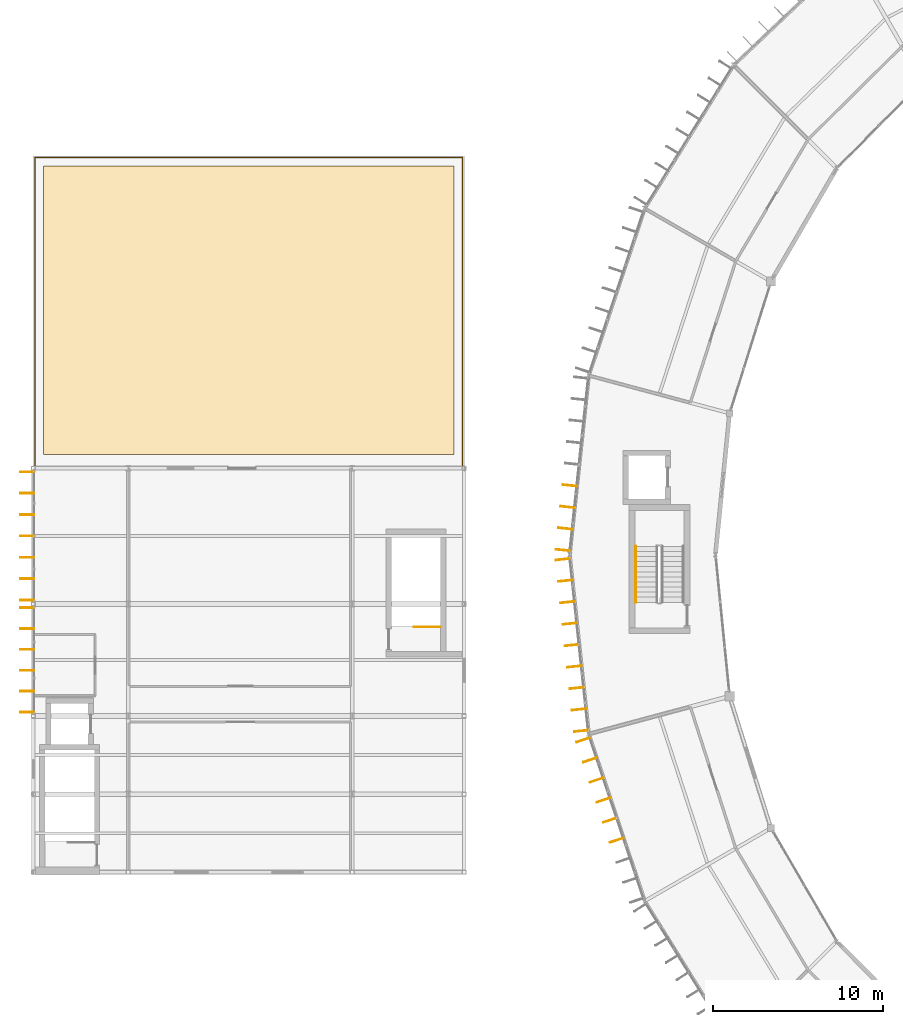
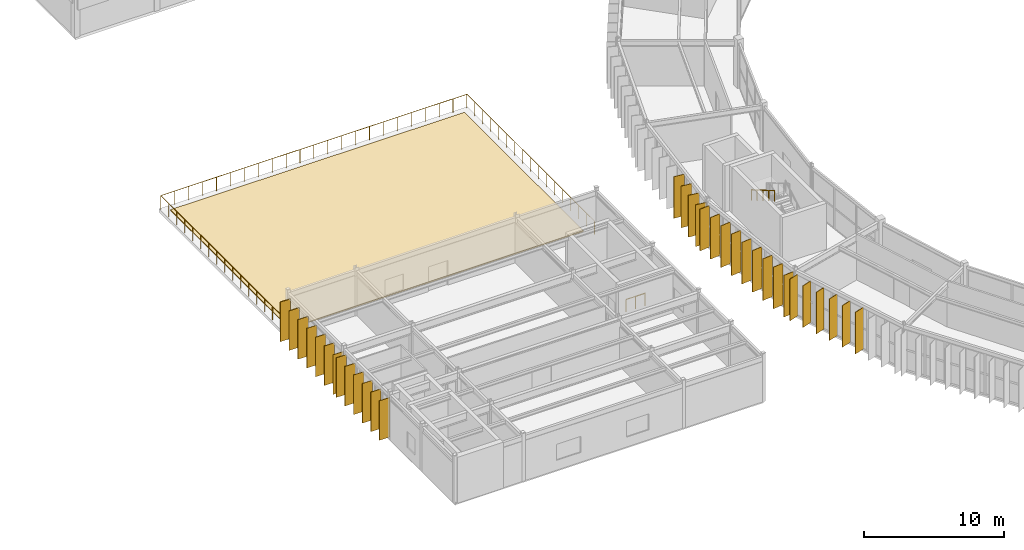
# One storey, part 121 of 130: 32 shading devices, 3 railings, 1 covering.
"""IFC4 building model written with IfcOpenShell, lengths in metres."""

from ifc_helpers import new_model, si_unit, direction, frame, origin, origin_2d, place, context, subcontext, project, spatial, polyline, rectangle, circle, outline, extrude, material, layer, layer_set, type_object, element, save


model = new_model("IFC4")

# Units and contexts
model_context = context("Model", 3, precision=1e-05, world=origin(), true_north=direction((0.0, 1.0)))
body_context = subcontext(model_context, "Body", "Model", "MODEL_VIEW")
ifc_project = project(units=[si_unit("LENGTHUNIT", "METRE"), si_unit("AREAUNIT", "SQUARE_METRE"), si_unit("VOLUMEUNIT", "CUBIC_METRE"), si_unit("PLANEANGLEUNIT", "RADIAN"), si_unit("MASSUNIT", "GRAM", prefix="KILO")], contexts=[model_context])

# Site, building, storey
site_placement = place(None, origin())
site = spatial("IfcSite", under=ifc_project, at=site_placement, CompositionType="ELEMENT")
building_placement = place(site_placement, origin())
building = spatial("IfcBuilding", under=site, at=building_placement, Name="Karori Crest Natural Sciences Institute", CompositionType="ELEMENT")
storey_placement = place(building_placement, frame((0.0, 0.0, 17.5)))
storey = spatial("IfcBuildingStorey", under=building, at=storey_placement, Name="L04", CompositionType="ELEMENT", Elevation=17.5)

# Covering
ifc_material_1 = material(Name="Planted coastal roof garden substrate and membrane")
ifc_layer_1 = layer(ifc_material_1, 0.080078125, Name="Planted coastal roof garden substrate and membrane")
ifc_layer_set_1 = layer_set([ifc_layer_1], Name="Planted coastal roof garden substrate and membrane")
covering_type = type_object("IfcCoveringType", Name="CVT-ROOF", PredefinedType="ROOFING", material=ifc_layer_set_1)
covering_placement = place(storey_placement, origin())
element("IfcCovering", 1, at=covering_placement, inside=storey, type_object=covering_type, Name="Coastal roof garden substrate RF-0001", PredefinedType="ROOFING", context=body_context, shape_type="SweptSolid", body=[
    extrude(outline(polyline([(2.39990234375, 55.800048828125), (26.60009765625, 55.800048828125), (26.60009765625, 72.800048828125), (2.39990234375, 72.800048828125), (2.39990234375, 55.800048828125)])), origin(), (0.0, 0.0, 1.0), 0.080078125),
])

# Railings
ifc_material_2 = material(Name="Stainless steel 316 balustrade", Category="steel")
railing_type_1 = type_object("IfcRailingType", Name="RLT-GRD", PredefinedType="GUARDRAIL", material=ifc_material_2)
railing_1_placement = place(storey_placement, frame((1.89990234375, 55.10009765625, 0.0)))
element("IfcRailing", 2, at=railing_1_placement, inside=storey, type_object=railing_type_1, Name="L04 roof garden guard GR-0011", PredefinedType="GUARDRAIL", context=body_context, shape_type="SweptSolid", body=[
    extrude(circle(Radius=0.02392578125, at=origin_2d()), frame((0.0, 0.0, 1.17578125), z_axis=(0.0, 1.0, 0.0), x_axis=(-1.0, 0.0, 0.0)), (0.0, 0.0, 1.0), 18.199951171875),
    extrude(circle(Radius=0.02392578125, at=origin_2d()), frame((0.0, 18.199951171875, 1.17578125), z_axis=(1.0, 0.0, 0.0), x_axis=(0.0, 1.0, 0.0)), (0.0, 0.0, 1.0), 25.2001953125),
    extrude(circle(Radius=0.02392578125, at=origin_2d()), frame((25.2001953125, 18.199951171875, 1.17578125), z_axis=(0.0, -1.0, 0.0), x_axis=(1.0, 0.0, 0.0)), (0.0, 0.0, 1.0), 18.199951171875),
    extrude(circle(Radius=0.02099609375, at=origin_2d()), origin(), (0.0, 0.0, 1.0), 1.15185546875),
    extrude(circle(Radius=0.02099609375, at=origin_2d()), frame((0.0, 1.137451171875, 0.0)), (0.0, 0.0, 1.0), 1.15185546875),
    extrude(circle(Radius=0.02099609375, at=origin_2d()), frame((0.0, 2.27490234375, 0.0)), (0.0, 0.0, 1.0), 1.15185546875),
    extrude(circle(Radius=0.02099609375, at=origin_2d()), frame((0.0, 3.41259765625, 0.0)), (0.0, 0.0, 1.0), 1.15185546875),
    extrude(circle(Radius=0.02099609375, at=origin_2d()), frame((0.0, 4.550048828125, 0.0)), (0.0, 0.0, 1.0), 1.15185546875),
    extrude(circle(Radius=0.02099609375, at=origin_2d()), frame((0.0, 5.6875, 0.0)), (0.0, 0.0, 1.0), 1.15185546875),
    extrude(circle(Radius=0.02099609375, at=origin_2d()), frame((0.0, 6.824951171875, 0.0)), (0.0, 0.0, 1.0), 1.15185546875),
    extrude(circle(Radius=0.02099609375, at=origin_2d()), frame((0.0, 7.96240234375, 0.0)), (0.0, 0.0, 1.0), 1.15185546875),
    extrude(circle(Radius=0.02099609375, at=origin_2d()), frame((0.0, 9.10009765625, 0.0)), (0.0, 0.0, 1.0), 1.15185546875),
    extrude(circle(Radius=0.02099609375, at=origin_2d()), frame((0.0, 10.237548828125, 0.0)), (0.0, 0.0, 1.0), 1.15185546875),
    extrude(circle(Radius=0.02099609375, at=origin_2d()), frame((0.0, 11.375, 0.0)), (0.0, 0.0, 1.0), 1.15185546875),
    extrude(circle(Radius=0.02099609375, at=origin_2d()), frame((0.0, 12.512451171875, 0.0)), (0.0, 0.0, 1.0), 1.15185546875),
    extrude(circle(Radius=0.02099609375, at=origin_2d()), frame((0.0, 13.64990234375, 0.0)), (0.0, 0.0, 1.0), 1.15185546875),
    extrude(circle(Radius=0.02099609375, at=origin_2d()), frame((0.0, 14.787353515625, 0.0)), (0.0, 0.0, 1.0), 1.15185546875),
    extrude(circle(Radius=0.02099609375, at=origin_2d()), frame((0.0, 15.925048828125, 0.0)), (0.0, 0.0, 1.0), 1.15185546875),
    extrude(circle(Radius=0.02099609375, at=origin_2d()), frame((0.0, 17.0625, 0.0)), (0.0, 0.0, 1.0), 1.15185546875),
    extrude(circle(Radius=0.02099609375, at=origin_2d()), frame((0.0, 18.199951171875, 0.0)), (0.0, 0.0, 1.0), 1.15185546875),
    extrude(circle(Radius=0.02099609375, at=origin_2d()), frame((1.1455078125, 18.199951171875, 0.0)), (0.0, 0.0, 1.0), 1.15185546875),
    extrude(circle(Radius=0.02099609375, at=origin_2d()), frame((2.291015625, 18.199951171875, 0.0)), (0.0, 0.0, 1.0), 1.15185546875),
    extrude(circle(Radius=0.02099609375, at=origin_2d()), frame((3.436279296875, 18.199951171875, 0.0)), (0.0, 0.0, 1.0), 1.15185546875),
    extrude(circle(Radius=0.02099609375, at=origin_2d()), frame((4.581787109375, 18.199951171875, 0.0)), (0.0, 0.0, 1.0), 1.15185546875),
    extrude(circle(Radius=0.02099609375, at=origin_2d()), frame((5.727294921875, 18.199951171875, 0.0)), (0.0, 0.0, 1.0), 1.15185546875),
    extrude(circle(Radius=0.02099609375, at=origin_2d()), frame((6.872802734375, 18.199951171875, 0.0)), (0.0, 0.0, 1.0), 1.15185546875),
    extrude(circle(Radius=0.02099609375, at=origin_2d()), frame((8.018310546875, 18.199951171875, 0.0)), (0.0, 0.0, 1.0), 1.15185546875),
    extrude(circle(Radius=0.02099609375, at=origin_2d()), frame((9.163818359375, 18.199951171875, 0.0)), (0.0, 0.0, 1.0), 1.15185546875),
    extrude(circle(Radius=0.02099609375, at=origin_2d()), frame((10.30908203125, 18.199951171875, 0.0)), (0.0, 0.0, 1.0), 1.15185546875),
    extrude(circle(Radius=0.02099609375, at=origin_2d()), frame((11.45458984375, 18.199951171875, 0.0)), (0.0, 0.0, 1.0), 1.15185546875),
    extrude(circle(Radius=0.02099609375, at=origin_2d()), frame((12.60009765625, 18.199951171875, 0.0)), (0.0, 0.0, 1.0), 1.15185546875),
    extrude(circle(Radius=0.02099609375, at=origin_2d()), frame((13.74560546875, 18.199951171875, 0.0)), (0.0, 0.0, 1.0), 1.15185546875),
    extrude(circle(Radius=0.02099609375, at=origin_2d()), frame((14.89111328125, 18.199951171875, 0.0)), (0.0, 0.0, 1.0), 1.15185546875),
    extrude(circle(Radius=0.02099609375, at=origin_2d()), frame((16.036376953125, 18.199951171875, 0.0)), (0.0, 0.0, 1.0), 1.15185546875),
    extrude(circle(Radius=0.02099609375, at=origin_2d()), frame((17.181884765625, 18.199951171875, 0.0)), (0.0, 0.0, 1.0), 1.15185546875),
    extrude(circle(Radius=0.02099609375, at=origin_2d()), frame((18.327392578125, 18.199951171875, 0.0)), (0.0, 0.0, 1.0), 1.15185546875),
    extrude(circle(Radius=0.02099609375, at=origin_2d()), frame((19.472900390625, 18.199951171875, 0.0)), (0.0, 0.0, 1.0), 1.15185546875),
    extrude(circle(Radius=0.02099609375, at=origin_2d()), frame((20.618408203125, 18.199951171875, 0.0)), (0.0, 0.0, 1.0), 1.15185546875),
    extrude(circle(Radius=0.02099609375, at=origin_2d()), frame((21.763916015625, 18.199951171875, 0.0)), (0.0, 0.0, 1.0), 1.15185546875),
    extrude(circle(Radius=0.02099609375, at=origin_2d()), frame((22.9091796875, 18.199951171875, 0.0)), (0.0, 0.0, 1.0), 1.15185546875),
    extrude(circle(Radius=0.02099609375, at=origin_2d()), frame((24.0546875, 18.199951171875, 0.0)), (0.0, 0.0, 1.0), 1.15185546875),
    extrude(circle(Radius=0.02099609375, at=origin_2d()), frame((25.2001953125, 18.199951171875, 0.0)), (0.0, 0.0, 1.0), 1.15185546875),
    extrude(circle(Radius=0.02099609375, at=origin_2d()), frame((25.2001953125, 17.0625, 0.0)), (0.0, 0.0, 1.0), 1.15185546875),
    extrude(circle(Radius=0.02099609375, at=origin_2d()), frame((25.2001953125, 15.925048828125, 0.0)), (0.0, 0.0, 1.0), 1.15185546875),
    extrude(circle(Radius=0.02099609375, at=origin_2d()), frame((25.2001953125, 14.787353515625, 0.0)), (0.0, 0.0, 1.0), 1.15185546875),
    extrude(circle(Radius=0.02099609375, at=origin_2d()), frame((25.2001953125, 13.64990234375, 0.0)), (0.0, 0.0, 1.0), 1.15185546875),
    extrude(circle(Radius=0.02099609375, at=origin_2d()), frame((25.2001953125, 12.512451171875, 0.0)), (0.0, 0.0, 1.0), 1.15185546875),
    extrude(circle(Radius=0.02099609375, at=origin_2d()), frame((25.2001953125, 11.375, 0.0)), (0.0, 0.0, 1.0), 1.15185546875),
    extrude(circle(Radius=0.02099609375, at=origin_2d()), frame((25.2001953125, 10.237548828125, 0.0)), (0.0, 0.0, 1.0), 1.15185546875),
    extrude(circle(Radius=0.02099609375, at=origin_2d()), frame((25.2001953125, 9.10009765625, 0.0)), (0.0, 0.0, 1.0), 1.15185546875),
    extrude(circle(Radius=0.02099609375, at=origin_2d()), frame((25.2001953125, 7.96240234375, 0.0)), (0.0, 0.0, 1.0), 1.15185546875),
    extrude(circle(Radius=0.02099609375, at=origin_2d()), frame((25.2001953125, 6.824951171875, 0.0)), (0.0, 0.0, 1.0), 1.15185546875),
    extrude(circle(Radius=0.02099609375, at=origin_2d()), frame((25.2001953125, 5.6875, 0.0)), (0.0, 0.0, 1.0), 1.15185546875),
    extrude(circle(Radius=0.02099609375, at=origin_2d()), frame((25.2001953125, 4.550048828125, 0.0)), (0.0, 0.0, 1.0), 1.15185546875),
    extrude(circle(Radius=0.02099609375, at=origin_2d()), frame((25.2001953125, 3.41259765625, 0.0)), (0.0, 0.0, 1.0), 1.15185546875),
    extrude(circle(Radius=0.02099609375, at=origin_2d()), frame((25.2001953125, 2.27490234375, 0.0)), (0.0, 0.0, 1.0), 1.15185546875),
    extrude(circle(Radius=0.02099609375, at=origin_2d()), frame((25.2001953125, 1.137451171875, 0.0)), (0.0, 0.0, 1.0), 1.15185546875),
    extrude(circle(Radius=0.02099609375, at=origin_2d()), frame((25.2001953125, 0.0, 0.0)), (0.0, 0.0, 1.0), 1.15185546875),
])
ifc_material_3 = material(Name="Stainless steel 316 tubular handrail", Category="steel")
railing_type_2 = type_object("IfcRailingType", Name="RLT-HND", PredefinedType="HANDRAIL", material=ifc_material_3)
railing_2_placement = place(storey_placement, frame((37.300048828125, 50.39990234375, 2.27490234375)))
element("IfcRailing", 3, at=railing_2_placement, inside=storey, type_object=railing_type_2, Name="Stair handrail RL-0085", PredefinedType="HANDRAIL", context=body_context, shape_type="SweptSolid", body=[
    extrude(circle(Radius=0.02392578125, at=origin_2d()), frame((0.0, 0.0, 0.90087890625), z_axis=(0.0, -0.863760357493, 0.503902812876), x_axis=(1.0, 0.0, 0.0)), (0.0, 0.0, 1.0), 3.8203125),
    extrude(circle(Radius=0.02099609375, at=origin_2d()), origin(), (0.0, 0.0, 1.0), 0.876953125),
    extrude(circle(Radius=0.02099609375, at=origin_2d()), frame((0.0, -0.824951171875, 0.481201171875)), (0.0, 0.0, 1.0), 0.876953125),
    extrude(circle(Radius=0.02099609375, at=origin_2d()), frame((0.0, -1.64990234375, 0.96240234375)), (0.0, 0.0, 1.0), 0.876953125),
    extrude(circle(Radius=0.02099609375, at=origin_2d()), frame((0.0, -2.474853515625, 1.44384765625)), (0.0, 0.0, 1.0), 0.876953125),
    extrude(circle(Radius=0.02099609375, at=origin_2d()), frame((0.0, -3.2998046875, 1.925048828125)), (0.0, 0.0, 1.0), 0.876953125),
])
ifc_material_4 = material(Name="Stainless steel 316 stair guard", Category="steel")
railing_type_3 = type_object("IfcRailingType", Name="RLT-STG", PredefinedType="GUARDRAIL", material=ifc_material_4)
railing_3_placement = place(storey_placement, frame((25.800048828125, 45.64990234375, 0.0)))
element("IfcRailing", 4, at=railing_3_placement, inside=storey, type_object=railing_type_3, Name="Stair top well guard RL-0368", PredefinedType="GUARDRAIL", context=body_context, shape_type="SweptSolid", body=[
    extrude(circle(Radius=0.02392578125, at=origin_2d()), frame((0.0, 0.0, 1.076171875), z_axis=(-1.0, 0.0, 0.0), x_axis=(0.0, -1.0, 0.0)), (0.0, 0.0, 1.0), 1.550048828125),
    extrude(circle(Radius=0.02099609375, at=origin_2d()), origin(), (0.0, 0.0, 1.0), 1.052001953125),
    extrude(circle(Radius=0.02099609375, at=origin_2d()), frame((-0.77490234375, 0.0, 0.0)), (0.0, 0.0, 1.0), 1.052001953125),
    extrude(circle(Radius=0.02099609375, at=origin_2d()), frame((-1.550048828125, 0.0, 0.0)), (0.0, 0.0, 1.0), 1.052001953125),
])

# Shading devices
ifc_material_5 = material(Name="Anodised architectural aluminium 6063-T6", Category="aluminium")
ifc_layer_2 = layer(ifc_material_5, 0.044921875, Name="Anodised architectural aluminium 6063-T6")
ifc_layer_set_2 = layer_set([ifc_layer_2], Name="Anodised architectural aluminium 6063-T6")
shading_device_type = type_object("IfcShadingDeviceType", Name="SDT-FIN", PredefinedType="USERDEFINED", material=ifc_layer_set_2)
for number, where, z_axis, x_axis, name in (
    (5, (33.0166015625, 50.1708984375, 0.0), (0.0, 0.0, 1.0), (-0.994378303702, 0.105885736186, 0.0), "Vertical solar fin FN-0706"),
    (6, (33.151611328125, 51.440185546875, 0.0), (0.0, 0.0, 1.0), (-0.994378303702, 0.105885736186, 0.0), "Vertical solar fin FN-0707"),
    (7, (33.286865234375, 52.709228515625, 0.0), (0.0, 0.0, 1.0), (-0.994378303702, 0.105885736186, 0.0), "Vertical solar fin FN-0708"),
    (8, (33.422119140625, 53.978515625, 0.0), (0.0, 0.0, 1.0), (-0.994378303702, 0.105885736186, 0.0), "Vertical solar fin FN-0709"),
    (9, (34.0927734375, 39.521240234375, 0.0), (0.0, 0.0, 1.0), (-0.994378488506, -0.105884000668, 0.0), "Vertical solar fin FN-0715"),
    (10, (33.958251953125, 40.78466796875, 0.0), (0.0, 0.0, 1.0), (-0.994378488506, -0.105884000668, 0.0), "Vertical solar fin FN-0716"),
    (11, (33.82373046875, 42.048095703125, 0.0), (0.0, 0.0, 1.0), (-0.994378488506, -0.105884000668, 0.0), "Vertical solar fin FN-0717"),
    (12, (33.689208984375, 43.311767578125, 0.0), (0.0, 0.0, 1.0), (-0.994378488506, -0.105884000668, 0.0), "Vertical solar fin FN-0718"),
    (13, (33.5546875, 44.5751953125, 0.0), (0.0, 0.0, 1.0), (-0.994378488506, -0.105884000668, 0.0), "Vertical solar fin FN-0719"),
    (14, (33.420166015625, 45.838623046875, 0.0), (0.0, 0.0, 1.0), (-0.994378488506, -0.105884000668, 0.0), "Vertical solar fin FN-0720"),
    (15, (33.28564453125, 47.102294921875, 0.0), (0.0, 0.0, 1.0), (-0.994378488506, -0.105884000668, 0.0), "Vertical solar fin FN-0721"),
    (16, (33.15087890625, 48.36572265625, 0.0), (0.0, 0.0, 1.0), (-0.994378488506, -0.105884000668, 0.0), "Vertical solar fin FN-0722"),
    (17, (33.0166015625, 49.629150390625, 0.0), (0.0, 0.0, 1.0), (-0.994378488506, -0.105884000668, 0.0), "Vertical solar fin FN-0723"),
    (18, (36.187255859375, 33.086181640625, 0.0), (0.0, 0.0, 1.0), (-0.948197867933, -0.317680347595, 0.0), "Vertical solar fin FN-0727"),
    (19, (35.791748046875, 34.266845703125, 0.0), (0.0, 0.0, 1.0), (-0.948197867933, -0.317680347595, 0.0), "Vertical solar fin FN-0728"),
    (20, (35.39599609375, 35.447509765625, 0.0), (0.0, 0.0, 1.0), (-0.948197867933, -0.317680347595, 0.0), "Vertical solar fin FN-0729"),
    (21, (35.00048828125, 36.62841796875, 0.0), (0.0, 0.0, 1.0), (-0.948197867933, -0.317680347595, 0.0), "Vertical solar fin FN-0730"),
    (22, (34.60498046875, 37.80908203125, 0.0), (0.0, 0.0, 1.0), (-0.948197867933, -0.317680347595, 0.0), "Vertical solar fin FN-0731"),
    (23, (34.209228515625, 38.989990234375, 0.0), (0.0, 0.0, 1.0), (-0.948197867933, -0.317680347595, 0.0), "Vertical solar fin FN-0732"),
):
    element("IfcShadingDevice", number, at=place(storey_placement, frame(where, z_axis=z_axis, x_axis=x_axis)), inside=storey, type_object=shading_device_type, Name=name, ObjectType="SOLAR_FIN", PredefinedType="USERDEFINED", context=body_context, shape_type="SweptSolid", body=[
        extrude(rectangle(XDim=0.85009765625, YDim=0.044921875, at=origin_2d()), origin(), (0.0, 0.0, 1.0), 3.625),
    ])
for number, where, z_axis, x_axis, name in (
    (24, (1.449951171875, 40.623046875, 0.0), (0.0, 0.0, 1.0), (-1.0, 0.0, 0.0), "Vertical solar fin FN-1379"),
    (25, (1.449951171875, 41.853759765625, 0.0), (0.0, 0.0, 1.0), (-1.0, 0.0, 0.0), "Vertical solar fin FN-1380"),
    (26, (1.449951171875, 43.084716796875, 0.0), (0.0, 0.0, 1.0), (-1.0, 0.0, 0.0), "Vertical solar fin FN-1381"),
    (27, (1.449951171875, 44.3154296875, 0.0), (0.0, 0.0, 1.0), (-1.0, 0.0, 0.0), "Vertical solar fin FN-1382"),
    (28, (1.449951171875, 45.546142578125, 0.0), (0.0, 0.0, 1.0), (-1.0, 0.0, 0.0), "Vertical solar fin FN-1383"),
    (29, (1.449951171875, 46.777099609375, 0.0), (0.0, 0.0, 1.0), (-1.0, 0.0, 0.0), "Vertical solar fin FN-1384"),
    (30, (1.449951171875, 47.222900390625, 0.0), (0.0, 0.0, 1.0), (-1.0, 0.0, 0.0), "Vertical solar fin FN-1385"),
    (31, (1.449951171875, 48.48193359375, 0.0), (0.0, 0.0, 1.0), (-1.0, 0.0, 0.0), "Vertical solar fin FN-1386"),
    (32, (1.449951171875, 49.740966796875, 0.0), (0.0, 0.0, 1.0), (-1.0, 0.0, 0.0), "Vertical solar fin FN-1387"),
    (33, (1.449951171875, 51.0, 0.0), (0.0, 0.0, 1.0), (-1.0, 0.0, 0.0), "Vertical solar fin FN-1388"),
    (34, (1.449951171875, 52.259033203125, 0.0), (0.0, 0.0, 1.0), (-1.0, 0.0, 0.0), "Vertical solar fin FN-1389"),
    (35, (1.449951171875, 53.51806640625, 0.0), (0.0, 0.0, 1.0), (-1.0, 0.0, 0.0), "Vertical solar fin FN-1390"),
    (36, (1.449951171875, 54.777099609375, 0.0), (0.0, 0.0, 1.0), (-1.0, 0.0, 0.0), "Vertical solar fin FN-1391"),
):
    element("IfcShadingDevice", number, at=place(storey_placement, frame(where, z_axis=z_axis, x_axis=x_axis)), inside=storey, type_object=shading_device_type, Name=name, ObjectType="SOLAR_FIN", PredefinedType="USERDEFINED", context=body_context, shape_type="SweptSolid", body=[
        extrude(rectangle(XDim=0.85009765625, YDim=0.044921875, at=origin_2d()), origin(), (0.0, 0.0, 1.0), 3.445068359375),
    ])

save(model, "model.ifc")
